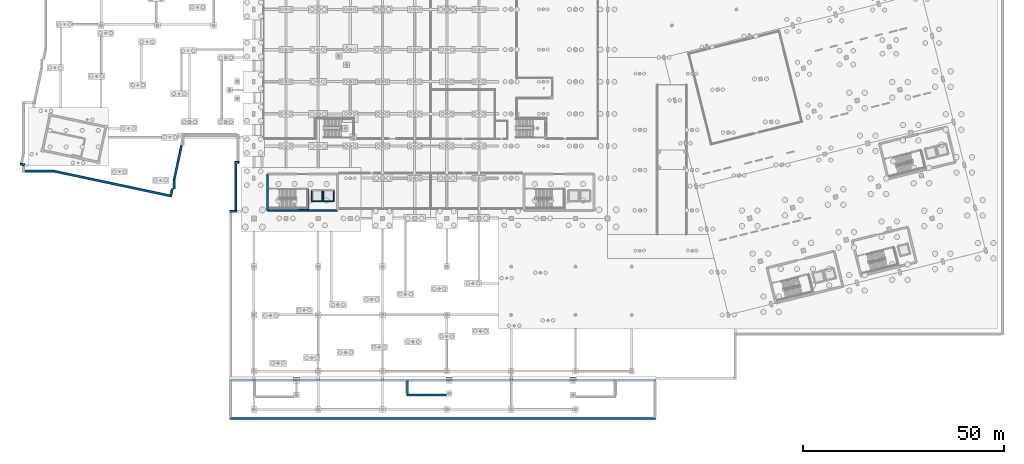
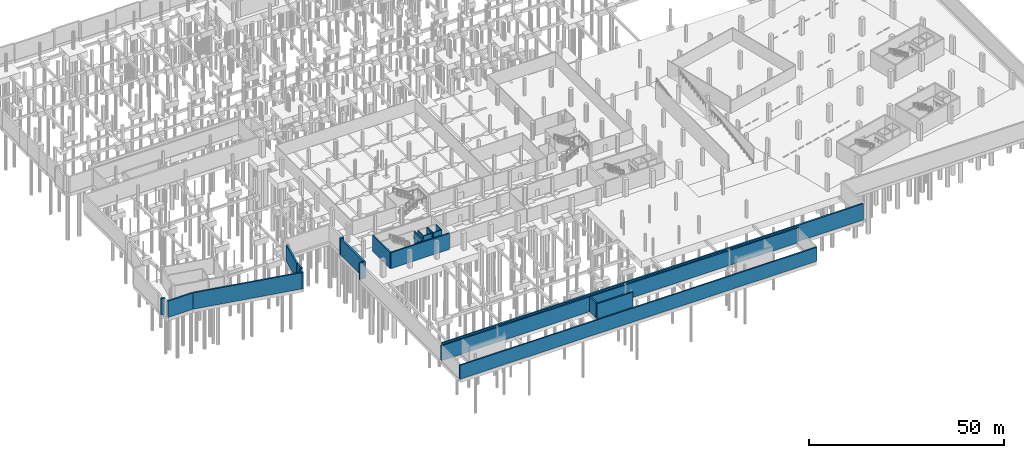
# One storey, part 48 of 65: 24 walls.
"""IFC4 building model written with IfcOpenShell, lengths in metres."""

from ifc_helpers import new_model, si_unit, direction, frame, frame_2d, origin, place, context, subcontext, project, spatial, rectangle, extrude, material, layer, layer_set, type_object, element, save


model = new_model("IFC4")

# Units and contexts
model_context = context("Model", 3, precision=1e-05, world=origin(), true_north=direction((0.0, 1.0)))
body_context = subcontext(model_context, "Body", "Model", "MODEL_VIEW")
ifc_project = project(units=[si_unit("LENGTHUNIT", "METRE"), si_unit("AREAUNIT", "SQUARE_METRE"), si_unit("VOLUMEUNIT", "CUBIC_METRE"), si_unit("PLANEANGLEUNIT", "RADIAN"), si_unit("MASSUNIT", "GRAM", prefix="KILO")], contexts=[model_context])

# Site, building, storey
site_placement = place(None, origin())
site = spatial("IfcSite", under=ifc_project, at=site_placement, CompositionType="ELEMENT")
building_placement = place(site_placement, origin())
building = spatial("IfcBuilding", under=site, at=building_placement, Name="Khorjan Park Terminus", CompositionType="ELEMENT")
storey_placement = place(building_placement, frame((0.0, 0.0, -5.4)))
storey = spatial("IfcBuildingStorey", under=building, at=storey_placement, Name="B1", CompositionType="ELEMENT", Elevation=-5.4)

# Walls
ifc_material_1 = material(Name="Concrete C50/60", Category="concrete")
ifc_layer_1 = layer(ifc_material_1, 0.4)
ifc_layer_set_1 = layer_set([ifc_layer_1], Name="Concrete C50/60")
wall_type_1 = type_object("IfcWallType", Name="CW-40", PredefinedType="SHEAR", material=ifc_layer_set_1)
wall_1_placement = place(storey_placement, frame((51.4, 28.0, 0.0), z_axis=(0.0, 0.0, 1.0), x_axis=(1.0, 0.0, 0.0)))
element("IfcWall", 1, at=wall_1_placement, inside=storey, type_object=wall_type_1, Name="West Concourse Core concrete shear wall CW-40 (B1-E1)", PredefinedType="SHEAR", context=body_context, shape_type="SweptSolid", body=[
    extrude(rectangle(XDim=17.4, YDim=0.4, at=frame_2d((8.7, 0.0))), origin(), (0.0, 0.0, 1.0), 5.02),
])
wall_2_placement = place(storey_placement, frame((51.4, 37.0, 0.0), z_axis=(0.0, 0.0, 1.0), x_axis=(0.0, -1.0, 0.0)))
element("IfcWall", 2, at=wall_2_placement, inside=storey, type_object=wall_type_1, Name="West Concourse Core concrete shear wall CW-40 (B1-E4)", PredefinedType="SHEAR", context=body_context, shape_type="SweptSolid", body=[
    extrude(rectangle(XDim=9.0, YDim=0.4, at=frame_2d((4.5, 0.0))), origin(), (0.0, 0.0, 1.0), 5.02),
])
ifc_material_2 = material(Name="Concrete C40/50", Category="concrete")
ifc_layer_2 = layer(ifc_material_2, 0.42)
ifc_layer_set_2 = layer_set([ifc_layer_2], Name="Concrete C40/50")
wall_type_2 = type_object("IfcWallType", Name="RW-42", PredefinedType="SOLIDWALL", material=ifc_layer_set_2)
wall_3_placement = place(storey_placement, frame((148.0, -23.79, 0.0), z_axis=(0.0, 0.0, 1.0), x_axis=(-1.0, 0.0, 0.0)))
element("IfcWall", 3, at=wall_3_placement, inside=storey, type_object=wall_type_2, Name="Grade approach concrete retaining wall RW-42 (75)", PredefinedType="SOLIDWALL", context=body_context, shape_type="SweptSolid", body=[
    extrude(rectangle(XDim=106.0, YDim=0.42, at=frame_2d((53.0, 0.0))), origin(), (0.0, 0.0, 1.0), 4.36),
])
wall_4_placement = place(storey_placement, frame((42.0, -14.23, 0.0), z_axis=(0.0, 0.0, 1.0), x_axis=(1.0, 0.0, 0.0)))
element("IfcWall", 4, at=wall_4_placement, inside=storey, type_object=wall_type_2, Name="Grade approach concrete retaining wall RW-42 (77)", PredefinedType="SOLIDWALL", context=body_context, shape_type="SweptSolid", body=[
    extrude(rectangle(XDim=106.0, YDim=0.42, at=frame_2d((53.0, 0.0))), origin(), (0.0, 0.0, 1.0), 4.68),
])
wall_5_placement = place(storey_placement, frame((86.0, -17.95, 0.0), z_axis=(0.0, 0.0, 1.0), x_axis=(1.0, 0.0, 0.0)))
element("IfcWall", 5, at=wall_5_placement, inside=storey, type_object=wall_type_2, Name="Ramp foundation stem wall RW-42 (GRMP-S-M-S)", PredefinedType="SOLIDWALL", context=body_context, shape_type="SweptSolid", body=[
    extrude(rectangle(XDim=10.79, YDim=0.42, at=frame_2d((5.395, 0.0))), origin(), (0.0, 0.0, 1.0), 4.68),
])
wall_6_placement = place(storey_placement, frame((86.21, -17.73, 0.0), z_axis=(0.0, 0.0, 1.0), x_axis=(0.0, 1.0, 0.0)))
element("IfcWall", 6, at=wall_6_placement, inside=storey, type_object=wall_type_2, Name="Ramp toe bearing foundation wall RW-42 (GRMP-S-M)", PredefinedType="SOLIDWALL", context=body_context, shape_type="SweptSolid", body=[
    extrude(rectangle(XDim=3.38, YDim=0.42, at=frame_2d((1.69, 0.0))), origin(), (0.0, 0.0, 1.0), 4.68),
])
ifc_layer_3 = layer(ifc_material_2, 0.48)
ifc_layer_set_3 = layer_set([ifc_layer_3], Name="Concrete C40/50")
wall_type_3 = type_object("IfcWallType", Name="RW-48", PredefinedType="SOLIDWALL", material=ifc_layer_set_3)
wall_7_placement = place(storey_placement, frame((167.52, -13.76, 0.0), z_axis=(0.0, 0.0, 1.0), x_axis=(-1.0, 0.0, 0.0)))
element("IfcWall", 7, at=wall_7_placement, inside=storey, type_object=wall_type_3, Name="Perimeter substructure concrete retaining wall RW-48 (59)", PredefinedType="SOLIDWALL", context=body_context, shape_type="SweptSolid", body=[
    extrude(rectangle(XDim=125.04, YDim=0.48, at=frame_2d((62.52, 0.0))), origin(), (0.0, 0.0, 1.0), 5.12),
])
wall_8_placement = place(storey_placement, frame((42.0, 27.76, 0.0), z_axis=(0.0, 0.0, 1.0), x_axis=(1.0, 0.0, 0.0)))
element("IfcWall", 8, at=wall_8_placement, inside=storey, type_object=wall_type_3, Name="Perimeter substructure concrete retaining wall RW-48 (61)", PredefinedType="SOLIDWALL", context=body_context, shape_type="SweptSolid", body=[
    extrude(rectangle(XDim=1.743, YDim=0.48, at=frame_2d((0.8715, 0.0))), origin(), (0.0, 0.0, 1.0), 5.12),
])
wall_9_placement = place(storey_placement, frame((43.503, 28.0, 0.0), z_axis=(0.0, 0.0, 1.0), x_axis=(0.0, 1.0, 0.0)))
element("IfcWall", 9, at=wall_9_placement, inside=storey, type_object=wall_type_3, Name="Perimeter substructure concrete retaining wall RW-48 (62)", PredefinedType="SOLIDWALL", context=body_context, shape_type="SweptSolid", body=[
    extrude(rectangle(XDim=11.68, YDim=0.48, at=frame_2d((5.84, 0.0))), origin(), (0.0, 0.0, 1.0), 5.12),
])
wall_10_placement = place(storey_placement, frame((43.263, 39.92, 0.0), z_axis=(0.0, 0.0, 1.0), x_axis=(1.0, 0.0, 0.0)))
element("IfcWall", 10, at=wall_10_placement, inside=storey, type_object=wall_type_3, Name="Perimeter substructure concrete retaining wall RW-48 (63)", PredefinedType="SOLIDWALL", context=body_context, shape_type="SweptSolid", body=[
    extrude(rectangle(XDim=1.057, YDim=0.48, at=frame_2d((0.5285, 0.0))), origin(), (0.0, 0.0, 1.0), 5.12),
])
wall_11_placement = place(storey_placement, frame((29.9935, 44.15, 0.0), z_axis=(0.0, 0.0, 1.0), x_axis=(-0.207916266283, -0.978146628177, 0.0)))
element("IfcWall", 11, at=wall_11_placement, inside=storey, type_object=wall_type_3, Name="Perimeter substructure concrete retaining wall RW-48 (68)", PredefinedType="SOLIDWALL", context=body_context, shape_type="SweptSolid", body=[
    extrude(rectangle(XDim=8.8175, YDim=0.48, at=frame_2d((4.4088, 0.0))), origin(), (0.0, 0.0, 1.0), 5.12),
])
wall_12_placement = place(storey_placement, frame((28.155, 35.4753, 0.0), z_axis=(0.0, 0.0, 1.0), x_axis=(0.0, -1.0, 0.0)))
element("IfcWall", 12, at=wall_12_placement, inside=storey, type_object=wall_type_3, Name="Perimeter substructure concrete retaining wall RW-48 (69)", PredefinedType="SOLIDWALL", context=body_context, shape_type="SweptSolid", body=[
    extrude(rectangle(XDim=2.0843, YDim=0.48, at=frame_2d((1.0421, 0.0))), origin(), (0.0, 0.0, 1.0), 5.12),
])
wall_13_placement = place(storey_placement, frame((27.7066, 33.391, 0.0), z_axis=(0.0, 0.0, 1.0), x_axis=(-0.207896003299, -0.978150935087, 0.0)))
element("IfcWall", 13, at=wall_13_placement, inside=storey, type_object=wall_type_3, Name="Perimeter substructure concrete retaining wall RW-48 (70)", PredefinedType="SOLIDWALL", context=body_context, shape_type="SweptSolid", body=[
    extrude(rectangle(XDim=2.0871, YDim=0.48, at=frame_2d((1.0435, 0.0))), origin(), (0.0, 0.0, 1.0), 5.12),
])
wall_14_placement = place(storey_placement, frame((27.0878, 31.6341, 0.0), z_axis=(0.0, 0.0, 1.0), x_axis=(-0.978146990137, 0.207914563431, 0.0)))
element("IfcWall", 14, at=wall_14_placement, inside=storey, type_object=wall_type_3, Name="Perimeter substructure concrete retaining wall RW-48 (71)", PredefinedType="SOLIDWALL", context=body_context, shape_type="SweptSolid", body=[
    extrude(rectangle(XDim=29.4241, YDim=0.48, at=frame_2d((14.712, 0.0))), origin(), (0.0, 0.0, 1.0), 5.12),
])
wall_15_placement = place(storey_placement, frame((-1.7432, 37.757, 0.0), z_axis=(0.0, 0.0, 1.0), x_axis=(-1.0, 0.0, 0.0)))
element("IfcWall", 15, at=wall_15_placement, inside=storey, type_object=wall_type_3, Name="Perimeter substructure concrete retaining wall RW-48 (72)", PredefinedType="SOLIDWALL", context=body_context, shape_type="SweptSolid", body=[
    extrude(rectangle(XDim=7.3588, YDim=0.48, at=frame_2d((3.6794, 0.0))), origin(), (0.0, 0.0, 1.0), 5.12),
])
wall_16_placement = place(storey_placement, frame((-9.0521, 39.3159, 0.0), z_axis=(0.0, 0.0, 1.0), x_axis=(-0.97815032032, 0.20789889576, 0.0)))
element("IfcWall", 16, at=wall_16_placement, inside=storey, type_object=wall_type_3, Name="Perimeter substructure concrete retaining wall RW-48 (74)", PredefinedType="SOLIDWALL", context=body_context, shape_type="SweptSolid", body=[
    extrude(rectangle(XDim=1.0726, YDim=0.48, at=frame_2d((0.5363, 0.0))), origin(), (0.0, 0.0, 1.0), 5.12),
])
ifc_layer_4 = layer(ifc_material_2, 0.25)
ifc_layer_set_4 = layer_set([ifc_layer_4], Name="Concrete C40/50")
wall_type_4 = type_object("IfcWallType", Name="SW-25", PredefinedType="SOLIDWALL", material=ifc_layer_set_4)
wall_17_placement = place(storey_placement, frame((62.45, 30.21, 0.0), z_axis=(0.0, 0.0, 1.0), x_axis=(1.0, 0.0, 0.0)))
element("IfcWall", 17, at=wall_17_placement, inside=storey, type_object=wall_type_4, Name="Lift L01 concrete shaft wall SW-25 (B1-1)", PredefinedType="SOLIDWALL", context=body_context, shape_type="SweptSolid", body=[
    extrude(rectangle(XDim=2.54, YDim=0.25, at=frame_2d((1.27, 0.0))), origin(), (0.0, 0.0, 1.0), 5.02),
])
for number, where, z_axis, x_axis, name in (
    (18, (64.99, 30.21, 0.0), (0.0, 0.0, 1.0), (0.0, 1.0, 0.0), "Lift L01 concrete shaft wall SW-25 (B1-2)"),
    (19, (62.45, 33.05, 0.0), (0.0, 0.0, 1.0), (0.0, -1.0, 0.0), "Lift L01 concrete shaft wall SW-25 (B1-4)"),
):
    element("IfcWall", number, at=place(storey_placement, frame(where, z_axis=z_axis, x_axis=x_axis)), inside=storey, type_object=wall_type_4, Name=name, PredefinedType="SOLIDWALL", context=body_context, shape_type="SweptSolid", body=[
        extrude(rectangle(XDim=2.84, YDim=0.25, at=frame_2d((1.42, 0.0))), origin(), (0.0, 0.0, 1.0), 5.02),
    ])
wall_18_placement = place(storey_placement, frame((65.31, 30.21, 0.0), z_axis=(0.0, 0.0, 1.0), x_axis=(1.0, 0.0, 0.0)))
element("IfcWall", 20, at=wall_18_placement, inside=storey, type_object=wall_type_4, Name="Lift L02 concrete shaft wall SW-25 (B1-1)", PredefinedType="SOLIDWALL", context=body_context, shape_type="SweptSolid", body=[
    extrude(rectangle(XDim=2.54, YDim=0.25, at=frame_2d((1.27, 0.0))), origin(), (0.0, 0.0, 1.0), 5.02),
])
for number, where, z_axis, x_axis, name in (
    (21, (67.85, 30.21, 0.0), (0.0, 0.0, 1.0), (0.0, 1.0, 0.0), "Lift L02 concrete shaft wall SW-25 (B1-2)"),
    (22, (65.31, 33.05, 0.0), (0.0, 0.0, 1.0), (0.0, -1.0, 0.0), "Lift L02 concrete shaft wall SW-25 (B1-4)"),
):
    element("IfcWall", number, at=place(storey_placement, frame(where, z_axis=z_axis, x_axis=x_axis)), inside=storey, type_object=wall_type_4, Name=name, PredefinedType="SOLIDWALL", context=body_context, shape_type="SweptSolid", body=[
        extrude(rectangle(XDim=2.84, YDim=0.25, at=frame_2d((1.42, 0.0))), origin(), (0.0, 0.0, 1.0), 5.02),
    ])
wall_19_placement = place(storey_placement, frame((61.525, 28.2, 0.0), z_axis=(0.0, 0.0, 1.0), x_axis=(0.0, 1.0, 0.0)))
element("IfcWall", 23, at=wall_19_placement, inside=storey, type_object=wall_type_4, Name="West Concourse Core stairwell end bearing wall SW-25 (B1)", PredefinedType="SOLIDWALL", context=body_context, shape_type="SweptSolid", body=[
    extrude(rectangle(XDim=5.11, YDim=0.25, at=frame_2d((2.555, 0.0))), origin(), (0.0, 0.0, 1.0), 5.02),
])
wall_20_placement = place(storey_placement, frame((59.2, 28.425, 0.0), z_axis=(0.0, 0.0, 1.0), x_axis=(1.0, 0.0, 0.0)))
element("IfcWall", 24, at=wall_20_placement, inside=storey, type_object=wall_type_4, Name="West Concourse Core half-landing bearing wall SW-25 (B1)", PredefinedType="SOLIDWALL", context=body_context, shape_type="SweptSolid", body=[
    extrude(rectangle(XDim=2.2, YDim=0.25, at=frame_2d((1.1, 0.0))), origin(), (0.0, 0.0, 1.0), 5.02),
])

save(model, "model.ifc")
